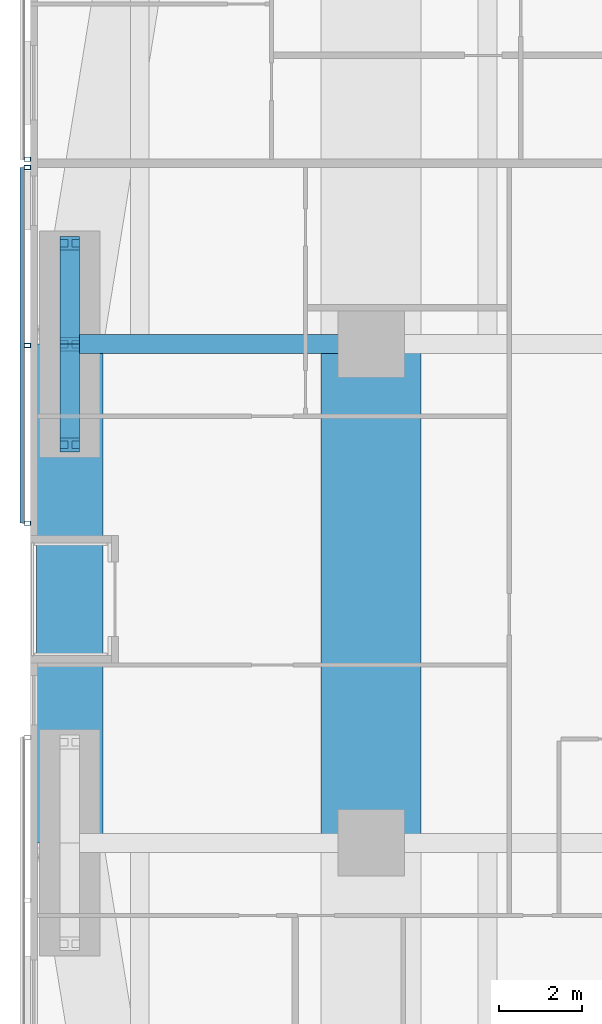
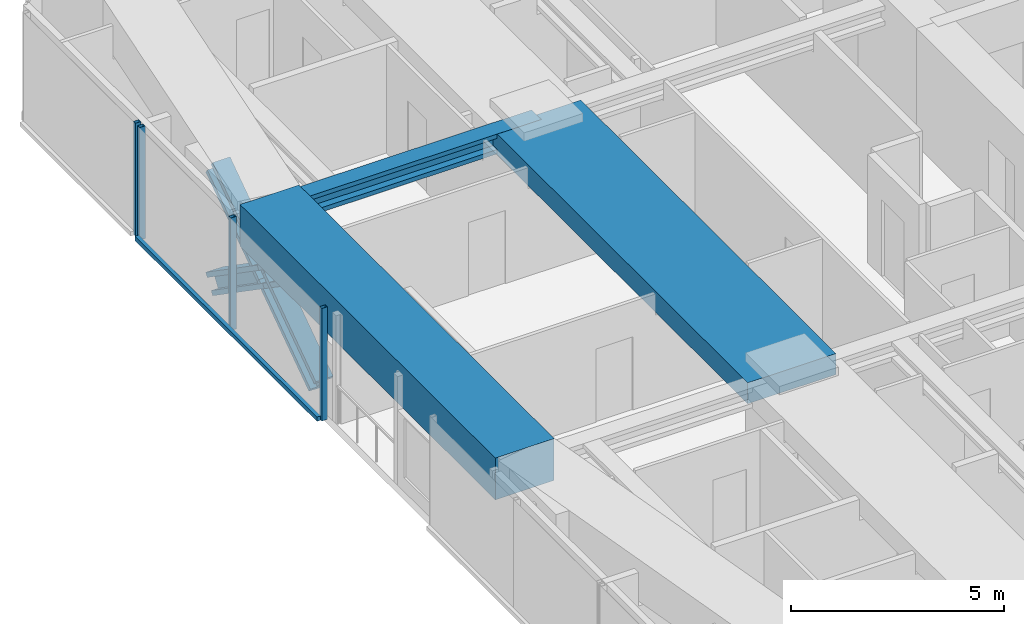
# One storey, part 6 of 23: 9 members, 3 beams, 2 elements without a shape of their own.
"""IFC4 building model written with IfcOpenShell, lengths in metres."""

from ifc_helpers import new_model, si_unit, direction, frame, origin, origin_2d, place, context, subcontext, project, spatial, rectangle, hollow_rectangle, i_section, extrude, material, material_profile, profile_set, type_object, element, aggregate, save


model = new_model("IFC4")

# Units and contexts
model_context = context("Model", 3, precision=1e-05, world=origin(), true_north=direction((0.0, 1.0)))
body_context = subcontext(model_context, "Body", "Model", "MODEL_VIEW")
ifc_project = project(units=[si_unit("LENGTHUNIT", "METRE"), si_unit("AREAUNIT", "SQUARE_METRE"), si_unit("VOLUMEUNIT", "CUBIC_METRE"), si_unit("PLANEANGLEUNIT", "RADIAN"), si_unit("MASSUNIT", "GRAM", prefix="KILO")], contexts=[model_context])

# Site, building, storey
site_placement = place(None, origin())
site = spatial("IfcSite", under=ifc_project, at=site_placement, CompositionType="ELEMENT")
building_placement = place(site_placement, origin())
building = spatial("IfcBuilding", under=site, at=building_placement, Name="Jalousie Tower", CompositionType="ELEMENT")
storey_placement = place(building_placement, frame((0.0, 0.0, 24.35009765625)))
storey = spatial("IfcBuildingStorey", under=building, at=storey_placement, Name="L05", CompositionType="ELEMENT", Elevation=24.35009765625)

# Beam
ifc_material_1 = material(Name="Steel ASTM A992 Grade 50", Category="steel")
ifc_material_profile_1 = material_profile(ifc_material_1, i_section(OverallWidth=0.45458984375, OverallDepth=0.569091796875, WebThickness=0.077880859375, FlangeThickness=0.124755859375, at=origin_2d()), Name="W14X730")
ifc_profile_set_1 = profile_set([ifc_material_profile_1], Name="Steel ASTM A992 Grade 50")
beam_type_1 = type_object("IfcBeamType", Name="LEAN COLLECTOR W14X730", PredefinedType="BEAM", material=ifc_profile_set_1)
beam_1_placement = place(storey_placement, frame((2.949951171875, 25.0, 2.825439453125), z_axis=(1.0, 0.0, 0.0), x_axis=(0.0, 1.0, 0.0)))
element("IfcBeam", 1, at=beam_1_placement, inside=storey, type_object=beam_type_1, Name="Lean collector under L06", PredefinedType="BEAM", context=body_context, shape_type="SweptSolid", body=[
    extrude(i_section(OverallWidth=0.45458984375, OverallDepth=0.569091796875, WebThickness=0.077880859375, FlangeThickness=0.124755859375, at=origin_2d()), origin(), (0.0, 0.0, 1.0), 7.25),
])

# Members
ifc_material_2 = material(Name="Steel ASTM A992 Grade 50", Category="steel")
ifc_material_profile_2 = material_profile(ifc_material_2, i_section(OverallWidth=0.472412109375, OverallDepth=0.5791015625, WebThickness=0.094970703125, FlangeThickness=0.1298828125, at=origin_2d()), Name="W14X808")
ifc_profile_set_2 = profile_set([ifc_material_profile_2], Name="Steel ASTM A992 Grade 50")
member_type_1 = type_object("IfcMemberType", Name="PERIMETER BRACE W14X808", PredefinedType="BRACE", material=ifc_profile_set_2)
for number, where, z_axis, x_axis, name in (
    (2, (2.949951171875, 22.574951171875, -0.60009765625), (0.0, 0.822800062329, 0.568330940062), (-1.0, 0.0, 0.0), "Perimeter brace 13 L05 part 1"),
    (3, (2.949951171875, 25.0, 1.074951171875), (0.0, 0.822800062329, 0.568330940062), (-1.0, 0.0, 0.0), "Perimeter brace 13 L05 part 2"),
    (4, (2.949951171875, 27.425048828125, -0.60009765625), (0.0, -0.822800062329, 0.568330940062), (1.0, 0.0, 0.0), "Perimeter brace 13 L05 part 3"),
    (5, (2.949951171875, 25.0, 1.074951171875), (0.0, -0.822800062329, 0.568330940062), (1.0, 0.0, 0.0), "Perimeter brace 13 L05 part 4"),
):
    element("IfcMember", number, at=place(storey_placement, frame(where, z_axis=z_axis, x_axis=x_axis)), inside=storey, type_object=member_type_1, Name=name, PredefinedType="BRACE", context=body_context, shape_type="SweptSolid", body=[
        extrude(i_section(OverallWidth=0.472412109375, OverallDepth=0.5791015625, WebThickness=0.094970703125, FlangeThickness=0.1298828125, at=origin_2d()), origin(), (0.0, 0.0, 1.0), 2.947265625),
    ])

# Beams
ifc_material_3 = material(Name="Concrete f'c 40 MPa", Category="concrete")
ifc_material_profile_3 = material_profile(ifc_material_3, rectangle(XDim=1.60009765625, YDim=1.199951171875, at=origin_2d()), Name="RC 1600x1200")
ifc_profile_set_3 = profile_set([ifc_material_profile_3], Name="Concrete f'c 40 MPa")
beam_type_2 = type_object("IfcBeamType", Name="RC BEAM 1600x1200", PredefinedType="BEAM", material=ifc_profile_set_3)
beam_2_placement = place(storey_placement, frame((2.949951171875, 25.0, 2.75), z_axis=(0.0, -1.0, 0.0), x_axis=(1.0, 0.0, 0.0)))
element("IfcBeam", 6, at=beam_2_placement, inside=storey, type_object=beam_type_2, Name="Edge band beam 13-14 under L06", PredefinedType="BEAM", context=body_context, shape_type="SweptSolid", body=[
    extrude(rectangle(XDim=1.60009765625, YDim=1.199951171875, at=origin_2d()), origin(), (0.0, 0.0, 1.0), 12.0),
])
ifc_material_4 = material(Name="Concrete f'c 40 MPa", Category="concrete")
ifc_material_profile_4 = material_profile(ifc_material_4, rectangle(XDim=2.39990234375, YDim=0.60009765625, at=origin_2d()), Name="RC 2400x600")
ifc_profile_set_4 = profile_set([ifc_material_profile_4], Name="Concrete f'c 40 MPa")
beam_type_3 = type_object("IfcBeamType", Name="RC BEAM 2400x600", PredefinedType="BEAM", material=ifc_profile_set_4)
beam_3_placement = place(storey_placement, frame((10.199951171875, 13.0, 2.809814453125), z_axis=(0.0, 1.0, 0.0), x_axis=(-1.0, 0.0, 0.0)))
element("IfcBeam", 7, at=beam_3_placement, inside=storey, type_object=beam_type_3, Name="Floor band beam under L06", PredefinedType="BEAM", context=body_context, shape_type="SweptSolid", body=[
    extrude(rectangle(XDim=2.39990234375, YDim=0.60009765625, at=origin_2d()), origin(), (0.0, 0.0, 1.0), 12.0),
])

# Curtain wall, member
ifc_material_5 = material(Name="Perforated aluminium sheet", Category="aluminium")
curtain_wall_type = type_object("IfcCurtainWallType", Name="SOLAR SCREEN SS-1", PredefinedType="USERDEFINED", material=ifc_material_5)
curtain_wall_1_placement = place(storey_placement, origin())
curtain_wall_1 = element("IfcCurtainWall", 8, at=curtain_wall_1_placement, inside=storey, type_object=curtain_wall_type, Name="Solar screen L05", ObjectType="SOLAR SCREEN SS-1", PredefinedType="USERDEFINED")
ifc_material_6 = material(Name="Steel ASTM A500 Grade C", Category="steel")
ifc_material_profile_5 = material_profile(ifc_material_6, hollow_rectangle(XDim=0.1015625, YDim=0.15234375, WallThickness=0.00634765625, at=origin_2d()), Name="HSS6X4X1/4")
ifc_profile_set_5 = profile_set([ifc_material_profile_5], Name="Steel ASTM A500 Grade C")
member_type_2 = type_object("IfcMemberType", Name="SOLAR SCREEN SS-1 MULLION", PredefinedType="MULLION", material=ifc_profile_set_5)
member_1_placement = place(storey_placement, frame((1.9287109375, 29.449951171875, -0.1201171875), z_axis=(0.0, 0.0, 1.0), x_axis=(0.0, -1.0, 0.0)))
member_1 = element("IfcMember", 9, at=member_1_placement, type_object=member_type_2, Name="SS1 post 2", PredefinedType="MULLION", context=body_context, shape_type="SweptSolid", body=[
    extrude(hollow_rectangle(XDim=0.1015625, YDim=0.15234375, WallThickness=0.00634765625, at=origin_2d()), origin(), (0.0, 0.0, 1.0), 3.22998046875),
])
aggregate(curtain_wall_1, [member_1])

# Curtain wall, members
curtain_wall_2_placement = place(storey_placement, origin())
curtain_wall_2 = element("IfcCurtainWall", 10, at=curtain_wall_2_placement, inside=storey, type_object=curtain_wall_type, Name="Solar screen L05", ObjectType="SOLAR SCREEN SS-1", PredefinedType="USERDEFINED")
member_2_placement = place(storey_placement, frame((1.9287109375, 29.25, -0.1201171875), z_axis=(0.0, 0.0, 1.0), x_axis=(0.0, -1.0, 0.0)))
member_2 = element("IfcMember", 11, at=member_2_placement, type_object=member_type_2, Name="SS1 post 1", PredefinedType="MULLION", context=body_context, shape_type="SweptSolid", body=[
    extrude(hollow_rectangle(XDim=0.1015625, YDim=0.15234375, WallThickness=0.00634765625, at=origin_2d()), origin(), (0.0, 0.0, 1.0), 3.22998046875),
])
member_3_placement = place(storey_placement, frame((1.9287109375, 24.970703125, -0.1201171875), z_axis=(0.0, 0.0, 1.0), x_axis=(0.0, -1.0, 0.0)))
member_3 = element("IfcMember", 12, at=member_3_placement, type_object=member_type_2, Name="SS1 post 2", PredefinedType="MULLION", context=body_context, shape_type="SweptSolid", body=[
    extrude(hollow_rectangle(XDim=0.1015625, YDim=0.15234375, WallThickness=0.00634765625, at=origin_2d()), origin(), (0.0, 0.0, 1.0), 3.22998046875),
])
member_4_placement = place(storey_placement, frame((1.9287109375, 20.691650390625, -0.1201171875), z_axis=(0.0, 0.0, 1.0), x_axis=(0.0, -1.0, 0.0)))
member_4 = element("IfcMember", 13, at=member_4_placement, type_object=member_type_2, Name="SS1 post 3", PredefinedType="MULLION", context=body_context, shape_type="SweptSolid", body=[
    extrude(hollow_rectangle(XDim=0.1015625, YDim=0.15234375, WallThickness=0.00634765625, at=origin_2d()), origin(), (0.0, 0.0, 1.0), 3.22998046875),
])
ifc_material_7 = material(Name="Extruded aluminium screen rail", Category="aluminium")
ifc_material_profile_6 = material_profile(ifc_material_7, rectangle(XDim=0.1015625, YDim=0.1201171875, at=origin_2d()), Name="RAIL 102x120")
ifc_profile_set_6 = profile_set([ifc_material_profile_6], Name="Extruded aluminium screen rail")
member_type_3 = type_object("IfcMemberType", Name="SOLAR SCREEN SS-1 TRANSOM", PredefinedType="USERDEFINED", material=ifc_profile_set_6)
member_5_placement = place(storey_placement, frame((1.8017578125, 29.25, -0.06005859375), z_axis=(0.0, -1.0, 0.0), x_axis=(1.0, 0.0, 0.0)))
member_5 = element("IfcMember", 14, at=member_5_placement, type_object=member_type_3, Name="SS1 rail", ObjectType="TRANSOM", PredefinedType="USERDEFINED", context=body_context, shape_type="SweptSolid", body=[
    extrude(rectangle(XDim=0.1015625, YDim=0.1201171875, at=origin_2d()), origin(), (0.0, 0.0, 1.0), 8.558349609375),
])
aggregate(curtain_wall_2, [member_2, member_3, member_4, member_5])

save(model, "model.ifc")
